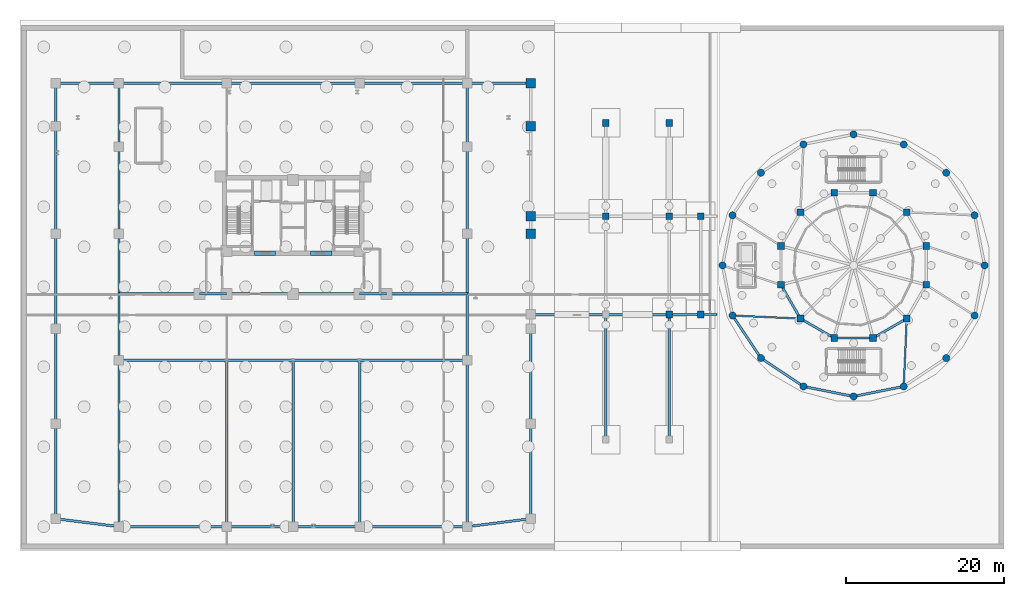
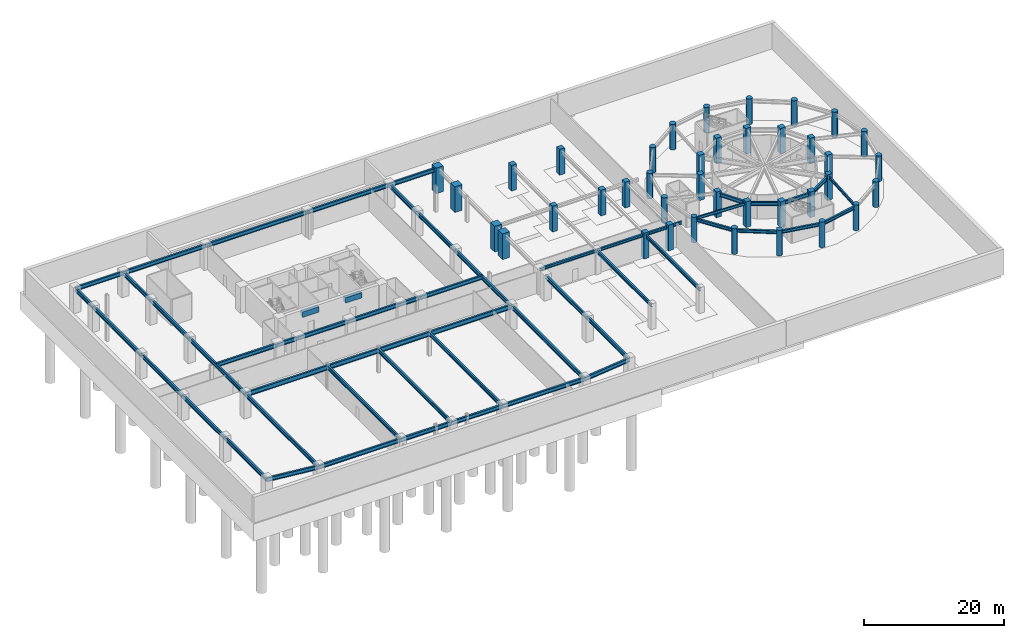
# One storey, part 4 of 15: 55 beams, 39 columns.
"""IFC4 building model written with IfcOpenShell, lengths in metres."""

from ifc_helpers import new_model, si_unit, derived_unit, direction, frame, origin, origin_2d, place, context, subcontext, project, spatial, rectangle, circle, i_section, extrude, source, transform, mapped, material, material_profile, profile_set, type_object, element, save


model = new_model("IFC4")

# Units and contexts
model_context = context("Model", 3, precision=1e-05, world=origin(), true_north=direction((0.0, 1.0)))
body_context = subcontext(model_context, "Body", "Model", "MODEL_VIEW")
ifc_project = project(units=[si_unit("LENGTHUNIT", "METRE"), si_unit("AREAUNIT", "SQUARE_METRE"), si_unit("VOLUMEUNIT", "CUBIC_METRE"), si_unit("PLANEANGLEUNIT", "RADIAN"), si_unit("MASSUNIT", "GRAM", prefix="KILO"), derived_unit("THERMALTRANSMITTANCEUNIT", [(si_unit("POWERUNIT", "WATT"), 1), (si_unit("LENGTHUNIT", "METRE"), -2), (si_unit("THERMODYNAMICTEMPERATUREUNIT", "KELVIN"), -1)])], contexts=[model_context])

# Site, building, storey
site_placement = place(None, origin())
site = spatial("IfcSite", under=ifc_project, at=site_placement, CompositionType="ELEMENT")
building_placement = place(site_placement, origin())
building = spatial("IfcBuilding", under=site, at=building_placement, Name="Korsvarv Bourse and Concert Hall", CompositionType="ELEMENT")
storey_placement = place(building_placement, frame((0.0, 0.0, -9.0)))
storey = spatial("IfcBuildingStorey", under=building, at=storey_placement, Name="B02", CompositionType="ELEMENT", Elevation=-9.0)

# Columns
ifc_material_1 = material(Name="Concrete C60/75", Category="concrete")
ifc_material_profile_1 = material_profile(ifc_material_1, rectangle(XDim=1.199951171875, YDim=1.199951171875, at=origin_2d()), Name="RC 1200x1200")
ifc_profile_set_1 = profile_set([ifc_material_profile_1], Name="Concrete C60/75")
column_type_1 = type_object("IfcColumnType", Name="COL-RC1200", PredefinedType="COLUMN", material=ifc_profile_set_1)
shared_shape_1 = source(origin(), body_context, "Body", "SweptSolid", [
    extrude(rectangle(XDim=1.199951171875, YDim=1.199951171875, at=origin_2d()), origin(), (0.0, 0.0, 1.0), 4.5),
])
for number, where, z_axis, x_axis, name in (
    (1, (66.0, 40.0, 0.0), (0.0, 0.0, 1.0), (1.0, 0.0, 0.0), "B02 column C-02"),
    (2, (66.0, 53.60009765625, 0.0), (0.0, 0.0, 1.0), (1.0, 0.0, 0.0), "B02 column C-02"),
    (3, (66.0, 59.0, 0.0), (0.0, 0.0, 1.0), (1.0, 0.0, 0.0), "B02 column C-02"),
    (4, (66.0, 42.199951171875, 0.0), (0.0, 0.0, 1.0), (1.0, 0.0, 0.0), "B02 column C-02"),
):
    element("IfcColumn", number, at=place(storey_placement, frame(where, z_axis=z_axis, x_axis=x_axis)), inside=storey, type_object=column_type_1, Name=name, PredefinedType="COLUMN", context=body_context, shape_type="MappedRepresentation", body=[
        mapped(shared_shape_1, transform((0.0, 0.0, 0.0), scale=1.0)),
    ])
ifc_material_2 = material(Name="Concrete C50/60", Category="concrete")
ifc_material_profile_2 = material_profile(ifc_material_2, rectangle(XDim=0.85009765625, YDim=0.85009765625, at=origin_2d()), Name="RC 850x850")
ifc_profile_set_2 = profile_set([ifc_material_profile_2], Name="Concrete C50/60")
column_type_2 = type_object("IfcColumnType", Name="COL-RC850", PredefinedType="COLUMN", material=ifc_profile_set_2)
shared_shape_2 = source(origin(), body_context, "Body", "SweptSolid", [
    extrude(rectangle(XDim=0.85009765625, YDim=0.85009765625, at=origin_2d()), origin(), (0.0, 0.0, 1.0), 4.5),
])
for number, where, z_axis, x_axis, name in (
    (5, (75.5, 42.199951171875, 0.0), (0.0, 0.0, 1.0), (1.0, 0.0, 0.0), "B02 column C-04"),
    (6, (83.5, 29.800048828125, 0.0), (0.0, 0.0, 1.0), (1.0, 0.0, 0.0), "B02 column C-04"),
    (7, (83.5, 42.199951171875, 0.0), (0.0, 0.0, 1.0), (1.0, 0.0, 0.0), "B02 column C-04"),
    (8, (87.5, 29.800048828125, 0.0), (0.0, 0.0, 1.0), (1.0, 0.0, 0.0), "B02 column C-04"),
    (9, (87.5, 42.199951171875, 0.0), (0.0, 0.0, 1.0), (1.0, 0.0, 0.0), "B02 column C-04"),
    (10, (75.5, 54.0, 0.0), (0.0, 0.0, 1.0), (1.0, 0.0, 0.0), "B02 column C-04"),
    (11, (83.5, 54.0, 0.0), (0.0, 0.0, 1.0), (1.0, 0.0, 0.0), "B02 column C-04"),
    (12, (115.976318359375, 38.458740234375, 0.0), (0.0, 0.0, 1.0), (1.0, 0.0, 0.0), "B02 column C-04"),
    (13, (113.517578125, 42.717529296875, 0.0), (0.0, 0.0, 1.0), (1.0, 0.0, 0.0), "B02 column C-04"),
    (14, (109.2587890625, 45.17626953125, 0.0), (0.0, 0.0, 1.0), (1.0, 0.0, 0.0), "B02 column C-04"),
    (15, (104.34130859375, 45.17626953125, 0.0), (0.0, 0.0, 1.0), (1.0, 0.0, 0.0), "B02 column C-04"),
    (16, (100.08251953125, 42.717529296875, 0.0), (0.0, 0.0, 1.0), (1.0, 0.0, 0.0), "B02 column C-04"),
    (17, (97.623779296875, 38.458740234375, 0.0), (0.0, 0.0, 1.0), (1.0, 0.0, 0.0), "B02 column C-04"),
    (18, (97.623779296875, 33.541259765625, 0.0), (0.0, 0.0, 1.0), (1.0, 0.0, 0.0), "B02 column C-04"),
    (19, (100.08251953125, 29.282470703125, 0.0), (0.0, 0.0, 1.0), (1.0, 0.0, 0.0), "B02 column C-04"),
    (20, (104.34130859375, 26.82373046875, 0.0), (0.0, 0.0, 1.0), (1.0, 0.0, 0.0), "B02 column C-04"),
    (21, (109.2587890625, 26.82373046875, 0.0), (0.0, 0.0, 1.0), (1.0, 0.0, 0.0), "B02 column C-04"),
    (22, (113.517578125, 29.282470703125, 0.0), (0.0, 0.0, 1.0), (1.0, 0.0, 0.0), "B02 column C-04"),
    (23, (115.976318359375, 33.541259765625, 0.0), (0.0, 0.0, 1.0), (1.0, 0.0, 0.0), "B02 column C-04"),
):
    element("IfcColumn", number, at=place(storey_placement, frame(where, z_axis=z_axis, x_axis=x_axis)), inside=storey, type_object=column_type_2, Name=name, PredefinedType="COLUMN", context=body_context, shape_type="MappedRepresentation", body=[
        mapped(shared_shape_2, transform((0.0, 0.0, 0.0), scale=1.0)),
    ])
ifc_material_profile_3 = material_profile(ifc_material_2, circle(Radius=0.449951171875, at=origin_2d()), Name="RC-D900")
ifc_profile_set_3 = profile_set([ifc_material_profile_3], Name="Concrete C50/60")
column_type_3 = type_object("IfcColumnType", Name="COL-RCD900", PredefinedType="COLUMN", material=ifc_profile_set_3)
shared_shape_3 = source(origin(), body_context, "Body", "SweptSolid", [
    extrude(circle(Radius=0.449951171875, at=origin_2d()), origin(), (0.0, 0.0, 1.0), 4.5),
])
for number, where, z_axis, x_axis, name in (
    (24, (123.35009765625, 36.0, 0.0), (0.0, 0.0, 1.0), (1.0, 0.0, 0.0), "B02 column C-06"),
    (25, (122.090087890625, 42.33349609375, 0.0), (0.0, 0.0, 1.0), (1.0, 0.0, 0.0), "B02 column C-06"),
    (26, (118.502685546875, 47.70263671875, 0.0), (0.0, 0.0, 1.0), (1.0, 0.0, 0.0), "B02 column C-06"),
    (27, (113.13330078125, 51.290283203125, 0.0), (0.0, 0.0, 1.0), (1.0, 0.0, 0.0), "B02 column C-06"),
    (28, (106.800048828125, 52.550048828125, 0.0), (0.0, 0.0, 1.0), (1.0, 0.0, 0.0), "B02 column C-06"),
    (29, (100.466552734375, 51.290283203125, 0.0), (0.0, 0.0, 1.0), (1.0, 0.0, 0.0), "B02 column C-06"),
    (30, (95.097412109375, 47.70263671875, 0.0), (0.0, 0.0, 1.0), (1.0, 0.0, 0.0), "B02 column C-06"),
    (31, (91.509765625, 42.33349609375, 0.0), (0.0, 0.0, 1.0), (1.0, 0.0, 0.0), "B02 column C-06"),
    (32, (90.25, 36.0, 0.0), (0.0, 0.0, 1.0), (1.0, 0.0, 0.0), "B02 column C-06"),
    (33, (91.509765625, 29.66650390625, 0.0), (0.0, 0.0, 1.0), (1.0, 0.0, 0.0), "B02 column C-06"),
    (34, (95.097412109375, 24.29736328125, 0.0), (0.0, 0.0, 1.0), (1.0, 0.0, 0.0), "B02 column C-06"),
    (35, (100.466552734375, 20.709716796875, 0.0), (0.0, 0.0, 1.0), (1.0, 0.0, 0.0), "B02 column C-06"),
    (36, (106.800048828125, 19.449951171875, 0.0), (0.0, 0.0, 1.0), (1.0, 0.0, 0.0), "B02 column C-06"),
    (37, (113.13330078125, 20.709716796875, 0.0), (0.0, 0.0, 1.0), (1.0, 0.0, 0.0), "B02 column C-06"),
    (38, (118.502685546875, 24.29736328125, 0.0), (0.0, 0.0, 1.0), (1.0, 0.0, 0.0), "B02 column C-06"),
    (39, (122.090087890625, 29.66650390625, 0.0), (0.0, 0.0, 1.0), (1.0, 0.0, 0.0), "B02 column C-06"),
):
    element("IfcColumn", number, at=place(storey_placement, frame(where, z_axis=z_axis, x_axis=x_axis)), inside=storey, type_object=column_type_3, Name=name, PredefinedType="COLUMN", context=body_context, shape_type="MappedRepresentation", body=[
        mapped(shared_shape_3, transform((0.0, 0.0, 0.0), scale=1.0)),
    ])

# Beams
ifc_material_3 = material(Name="Concrete C55/67", Category="concrete")
ifc_material_profile_4 = material_profile(ifc_material_3, rectangle(XDim=0.60009765625, YDim=0.949951171875, at=origin_2d()), Name="RC-BM 600x950")
ifc_profile_set_4 = profile_set([ifc_material_profile_4], Name="Concrete C55/67")
beam_type_1 = type_object("IfcBeamType", Name="BM-CPL", PredefinedType="LINTEL", material=ifc_profile_set_4)
shared_shape_4 = source(origin(), body_context, "Body", "SweptSolid", [
    extrude(rectangle(XDim=0.60009765625, YDim=0.949951171875, at=origin_2d()), origin(), (0.0, 0.0, 1.0), 2.699951171875),
])
for number, where, z_axis, x_axis, name in (
    (40, (31.10009765625, 37.52490234375, 3.705078125), (1.0, 0.0, 0.0), (0.0, 1.0, 0.0), "B02 Core Coupling Beam West"),
    (41, (38.199951171875, 37.52490234375, 3.705078125), (1.0, 0.0, 0.0), (0.0, 1.0, 0.0), "B02 Core Coupling Beam East"),
):
    element("IfcBeam", number, at=place(storey_placement, frame(where, z_axis=z_axis, x_axis=x_axis)), inside=storey, type_object=beam_type_1, Name=name, PredefinedType="LINTEL", context=body_context, shape_type="MappedRepresentation", body=[
        mapped(shared_shape_4, transform((0.0, 0.0, 0.0), scale=1.0)),
    ])
ifc_material_4 = material(Name="Steel S355", Category="steel")
ifc_material_profile_5 = material_profile(ifc_material_4, i_section(OverallWidth=0.300048828125, OverallDepth=0.489990234375, WebThickness=0.011962890625, FlangeThickness=0.02294921875, FilletRadius=0.02392578125, at=origin_2d()), Name="HEA 500")
ifc_profile_set_5 = profile_set([ifc_material_profile_5], Name="Steel S355")
beam_type_2 = type_object("IfcBeamType", Name="BM-HEA500", PredefinedType="BEAM", material=ifc_profile_set_5)
shared_shape_5 = source(origin(), body_context, "Body", "SweptSolid", [
    extrude(i_section(OverallWidth=0.300048828125, OverallDepth=0.489990234375, WebThickness=0.011962890625, FlangeThickness=0.02294921875, FilletRadius=0.02392578125, at=origin_2d()), origin(), (0.0, 0.0, 1.0), 9.5),
])
beam_1_placement = place(storey_placement, frame((66.0, 29.800048828125, 3.93505859375), z_axis=(1.0, 0.0, 0.0), x_axis=(0.0, 1.0, 0.0)))
element("IfcBeam", 42, at=beam_1_placement, inside=storey, type_object=beam_type_2, Name="B02 beam B-10", PredefinedType="BEAM", context=body_context, shape_type="MappedRepresentation", body=[
    mapped(shared_shape_5, transform((0.0, 0.0, 0.0), scale=1.0)),
])
shared_shape_6 = source(origin(), body_context, "Body", "SweptSolid", [
    extrude(i_section(OverallWidth=0.300048828125, OverallDepth=0.489990234375, WebThickness=0.011962890625, FlangeThickness=0.02294921875, FilletRadius=0.02392578125, at=origin_2d()), origin(), (0.0, 0.0, 1.0), 8.0),
])
beam_2_placement = place(storey_placement, frame((75.5, 29.800048828125, 3.93505859375), z_axis=(1.0, 0.0, 0.0), x_axis=(0.0, 1.0, 0.0)))
element("IfcBeam", 43, at=beam_2_placement, inside=storey, type_object=beam_type_2, Name="B02 beam B-10", PredefinedType="BEAM", context=body_context, shape_type="MappedRepresentation", body=[
    mapped(shared_shape_6, transform((0.0, 0.0, 0.0), scale=1.0)),
])
shared_shape_7 = source(origin(), body_context, "Body", "SweptSolid", [
    extrude(i_section(OverallWidth=0.300048828125, OverallDepth=0.489990234375, WebThickness=0.011962890625, FlangeThickness=0.02294921875, FilletRadius=0.02392578125, at=origin_2d()), origin(), (0.0, 0.0, 1.0), 4.0),
])
beam_3_placement = place(storey_placement, frame((83.5, 29.800048828125, 3.93505859375), z_axis=(1.0, 0.0, 0.0), x_axis=(0.0, 1.0, 0.0)))
element("IfcBeam", 44, at=beam_3_placement, inside=storey, type_object=beam_type_2, Name="B02 beam B-10", PredefinedType="BEAM", context=body_context, shape_type="MappedRepresentation", body=[
    mapped(shared_shape_7, transform((0.0, 0.0, 0.0), scale=1.0)),
])
shared_shape_8 = source(origin(), body_context, "Body", "SweptSolid", [
    extrude(i_section(OverallWidth=0.300048828125, OverallDepth=0.489990234375, WebThickness=0.011962890625, FlangeThickness=0.02294921875, FilletRadius=0.02392578125, at=origin_2d()), origin(), (0.0, 0.0, 1.0), 2.02001953125),
])
beam_4_placement = place(storey_placement, frame((87.5, 29.800048828125, 3.93505859375), z_axis=(1.0, 0.0, 0.0), x_axis=(0.0, 1.0, 0.0)))
element("IfcBeam", 45, at=beam_4_placement, inside=storey, type_object=beam_type_2, Name="B02 beam B-10", PredefinedType="BEAM", context=body_context, shape_type="MappedRepresentation", body=[
    mapped(shared_shape_8, transform((0.0, 0.0, 0.0), scale=1.0)),
])
ifc_material_profile_6 = material_profile(ifc_material_4, i_section(OverallWidth=0.300048828125, OverallDepth=0.60009765625, WebThickness=0.015380859375, FlangeThickness=0.030029296875, FilletRadius=0.02392578125, at=origin_2d()), Name="HEB 600")
ifc_profile_set_6 = profile_set([ifc_material_profile_6], Name="Steel S355")
beam_type_3 = type_object("IfcBeamType", Name="BM-HEB600", PredefinedType="BEAM", material=ifc_profile_set_6)
shared_shape_9 = source(origin(), body_context, "Body", "SweptSolid", [
    extrude(i_section(OverallWidth=0.300048828125, OverallDepth=0.60009765625, WebThickness=0.015380859375, FlangeThickness=0.030029296875, FilletRadius=0.02392578125, at=origin_2d()), origin(), (0.0, 0.0, 1.0), 15.800048828125),
])
for number, where, z_axis, x_axis, name in (
    (46, (75.5, 14.0, 3.8798828125), (0.0, 1.0, 0.0), (-1.0, 0.0, 0.0), "B02 beam B-05"),
    (47, (83.5, 14.0, 3.8798828125), (0.0, 1.0, 0.0), (-1.0, 0.0, 0.0), "B02 beam B-05"),
):
    element("IfcBeam", number, at=place(storey_placement, frame(where, z_axis=z_axis, x_axis=x_axis)), inside=storey, type_object=beam_type_3, Name=name, PredefinedType="BEAM", context=body_context, shape_type="MappedRepresentation", body=[
        mapped(shared_shape_9, transform((0.0, 0.0, 0.0), scale=1.0)),
    ])
ifc_material_profile_7 = material_profile(ifc_material_4, i_section(OverallWidth=0.300048828125, OverallDepth=0.699951171875, WebThickness=0.01708984375, FlangeThickness=0.031982421875, FilletRadius=0.027099609375, at=origin_2d()), Name="HEB 700")
ifc_profile_set_7 = profile_set([ifc_material_profile_7], Name="Steel S355")
beam_type_4 = type_object("IfcBeamType", Name="BM-HEB700", PredefinedType="BEAM", material=ifc_profile_set_7)
shared_shape_10 = source(origin(), body_context, "Body", "SweptSolid", [
    extrude(i_section(OverallWidth=0.300048828125, OverallDepth=0.699951171875, WebThickness=0.01708984375, FlangeThickness=0.031982421875, FilletRadius=0.027099609375, at=origin_2d()), origin(), (0.0, 0.0, 1.0), 12.0),
])
for number, where, z_axis, x_axis, name in (
    (48, (6.0, 4.0, 3.830078125), (0.0, 1.0, 0.0), (-1.0, 0.0, 0.0), "B02 beam B-03"),
    (49, (6.0, 16.0, 3.830078125), (0.0, 1.0, 0.0), (-1.0, 0.0, 0.0), "B02 beam B-03"),
    (50, (6.0, 28.0, 3.830078125), (0.0, 1.0, 0.0), (-1.0, 0.0, 0.0), "B02 beam B-03"),
    (51, (66.0, 4.0, 3.830078125), (0.0, 1.0, 0.0), (-1.0, 0.0, 0.0), "B02 beam B-03"),
    (52, (66.0, 16.0, 3.830078125), (0.0, 1.0, 0.0), (-1.0, 0.0, 0.0), "B02 beam B-03"),
):
    element("IfcBeam", number, at=place(storey_placement, frame(where, z_axis=z_axis, x_axis=x_axis)), inside=storey, type_object=beam_type_4, Name=name, PredefinedType="BEAM", context=body_context, shape_type="MappedRepresentation", body=[
        mapped(shared_shape_10, transform((0.0, 0.0, 0.0), scale=1.0)),
    ])
shared_shape_11 = source(origin(), body_context, "Body", "SweptSolid", [
    extrude(i_section(OverallWidth=0.300048828125, OverallDepth=0.699951171875, WebThickness=0.01708984375, FlangeThickness=0.031982421875, FilletRadius=0.027099609375, at=origin_2d()), origin(), (0.0, 0.0, 1.0), 13.60009765625),
])
for number, where, z_axis, x_axis, name in (
    (53, (6.0, 40.0, 3.830078125), (0.0, 1.0, 0.0), (-1.0, 0.0, 0.0), "B02 beam B-03"),
    (54, (14.0, 3.0, 3.830078125), (1.0, 0.0, 0.0), (0.0, 1.0, 0.0), "B02 beam B-03"),
    (55, (44.39990234375, 3.0, 3.830078125), (1.0, 0.0, 0.0), (0.0, 1.0, 0.0), "B02 beam B-03"),
    (56, (14.0, 59.0, 3.830078125), (1.0, 0.0, 0.0), (0.0, 1.0, 0.0), "B02 beam B-03"),
    (57, (44.39990234375, 59.0, 3.830078125), (1.0, 0.0, 0.0), (0.0, 1.0, 0.0), "B02 beam B-03"),
):
    element("IfcBeam", number, at=place(storey_placement, frame(where, z_axis=z_axis, x_axis=x_axis)), inside=storey, type_object=beam_type_4, Name=name, PredefinedType="BEAM", context=body_context, shape_type="MappedRepresentation", body=[
        mapped(shared_shape_11, transform((0.0, 0.0, 0.0), scale=1.0)),
    ])
shared_shape_12 = source(origin(), body_context, "Body", "SweptSolid", [
    extrude(i_section(OverallWidth=0.300048828125, OverallDepth=0.699951171875, WebThickness=0.01708984375, FlangeThickness=0.031982421875, FilletRadius=0.027099609375, at=origin_2d()), origin(), (0.0, 0.0, 1.0), 5.39990234375),
])
beam_5_placement = place(storey_placement, frame((6.0, 53.60009765625, 3.830078125), z_axis=(0.0, 1.0, 0.0), x_axis=(-1.0, 0.0, 0.0)))
element("IfcBeam", 58, at=beam_5_placement, inside=storey, type_object=beam_type_4, Name="B02 beam B-03", PredefinedType="BEAM", context=body_context, shape_type="MappedRepresentation", body=[
    mapped(shared_shape_12, transform((0.0, 0.0, 0.0), scale=1.0)),
])
shared_shape_13 = source(origin(), body_context, "Body", "SweptSolid", [
    extrude(i_section(OverallWidth=0.300048828125, OverallDepth=0.699951171875, WebThickness=0.01708984375, FlangeThickness=0.031982421875, FilletRadius=0.027099609375, at=origin_2d()), origin(), (0.0, 0.0, 1.0), 8.062255859375),
])
for number, where, z_axis, x_axis, name in (
    (59, (6.0, 4.0, 3.830078125), (0.992277876714, -0.124034734589, 0.0), (0.124034734589, 0.992277876714, 0.0), "B02 beam B-03"),
    (60, (58.0, 3.0, 3.830078125), (0.992277876714, 0.124034734589, 0.0), (-0.124034734589, 0.992277876714, 0.0), "B02 beam B-03"),
):
    element("IfcBeam", number, at=place(storey_placement, frame(where, z_axis=z_axis, x_axis=x_axis)), inside=storey, type_object=beam_type_4, Name=name, PredefinedType="BEAM", context=body_context, shape_type="MappedRepresentation", body=[
        mapped(shared_shape_13, transform((0.0, 0.0, 0.0), scale=1.0)),
    ])
shared_shape_14 = source(origin(), body_context, "Body", "SweptSolid", [
    extrude(i_section(OverallWidth=0.300048828125, OverallDepth=0.699951171875, WebThickness=0.01708984375, FlangeThickness=0.031982421875, FilletRadius=0.027099609375, at=origin_2d()), origin(), (0.0, 0.0, 1.0), 8.39990234375),
])
for number, where, z_axis, x_axis, name in (
    (61, (27.60009765625, 3.0, 3.830078125), (1.0, 0.0, 0.0), (0.0, 1.0, 0.0), "B02 beam B-03"),
    (62, (36.0, 3.0, 3.830078125), (1.0, 0.0, 0.0), (0.0, 1.0, 0.0), "B02 beam B-03"),
    (63, (27.60009765625, 32.39990234375, 3.830078125), (1.0, 0.0, 0.0), (0.0, 1.0, 0.0), "B02 beam B-03"),
    (64, (36.0, 32.39990234375, 3.830078125), (1.0, 0.0, 0.0), (0.0, 1.0, 0.0), "B02 beam B-03"),
):
    element("IfcBeam", number, at=place(storey_placement, frame(where, z_axis=z_axis, x_axis=x_axis)), inside=storey, type_object=beam_type_4, Name=name, PredefinedType="BEAM", context=body_context, shape_type="MappedRepresentation", body=[
        mapped(shared_shape_14, transform((0.0, 0.0, 0.0), scale=1.0)),
    ])
shared_shape_15 = source(origin(), body_context, "Body", "SweptSolid", [
    extrude(i_section(OverallWidth=0.300048828125, OverallDepth=0.699951171875, WebThickness=0.01708984375, FlangeThickness=0.031982421875, FilletRadius=0.027099609375, at=origin_2d()), origin(), (0.0, 0.0, 1.0), 8.0),
])
for number, where, z_axis, x_axis, name in (
    (65, (6.0, 59.0, 3.830078125), (1.0, 0.0, 0.0), (0.0, 1.0, 0.0), "B02 beam B-03"),
    (66, (58.0, 59.0, 3.830078125), (1.0, 0.0, 0.0), (0.0, 1.0, 0.0), "B02 beam B-03"),
):
    element("IfcBeam", number, at=place(storey_placement, frame(where, z_axis=z_axis, x_axis=x_axis)), inside=storey, type_object=beam_type_4, Name=name, PredefinedType="BEAM", context=body_context, shape_type="MappedRepresentation", body=[
        mapped(shared_shape_15, transform((0.0, 0.0, 0.0), scale=1.0)),
    ])
shared_shape_16 = source(origin(), body_context, "Body", "SweptSolid", [
    extrude(i_section(OverallWidth=0.300048828125, OverallDepth=0.699951171875, WebThickness=0.01708984375, FlangeThickness=0.031982421875, FilletRadius=0.027099609375, at=origin_2d()), origin(), (0.0, 0.0, 1.0), 16.7998046875),
])
beam_6_placement = place(storey_placement, frame((27.60009765625, 59.0, 3.830078125), z_axis=(1.0, 0.0, 0.0), x_axis=(0.0, 1.0, 0.0)))
element("IfcBeam", 67, at=beam_6_placement, inside=storey, type_object=beam_type_4, Name="B02 beam B-03", PredefinedType="BEAM", context=body_context, shape_type="MappedRepresentation", body=[
    mapped(shared_shape_16, transform((0.0, 0.0, 0.0), scale=1.0)),
])
shared_shape_17 = source(origin(), body_context, "Body", "SweptSolid", [
    extrude(i_section(OverallWidth=0.300048828125, OverallDepth=0.699951171875, WebThickness=0.01708984375, FlangeThickness=0.031982421875, FilletRadius=0.027099609375, at=origin_2d()), origin(), (0.0, 0.0, 1.0), 21.0),
])
for number, where, z_axis, x_axis, name in (
    (68, (14.0, 3.0, 3.830078125), (0.0, 1.0, 0.0), (-1.0, 0.0, 0.0), "B02 beam B-03"),
    (69, (58.0, 3.0, 3.830078125), (0.0, 1.0, 0.0), (-1.0, 0.0, 0.0), "B02 beam B-03"),
):
    element("IfcBeam", number, at=place(storey_placement, frame(where, z_axis=z_axis, x_axis=x_axis)), inside=storey, type_object=beam_type_4, Name=name, PredefinedType="BEAM", context=body_context, shape_type="MappedRepresentation", body=[
        mapped(shared_shape_17, transform((0.0, 0.0, 0.0), scale=1.0)),
    ])
shared_shape_18 = source(origin(), body_context, "Body", "SweptSolid", [
    extrude(i_section(OverallWidth=0.300048828125, OverallDepth=0.699951171875, WebThickness=0.01708984375, FlangeThickness=0.031982421875, FilletRadius=0.027099609375, at=origin_2d()), origin(), (0.0, 0.0, 1.0), 16.0),
])
for number, where, z_axis, x_axis, name in (
    (70, (14.0, 24.0, 3.830078125), (0.0, 1.0, 0.0), (-1.0, 0.0, 0.0), "B02 beam B-03"),
    (71, (58.0, 24.0, 3.830078125), (0.0, 1.0, 0.0), (-1.0, 0.0, 0.0), "B02 beam B-03"),
):
    element("IfcBeam", number, at=place(storey_placement, frame(where, z_axis=z_axis, x_axis=x_axis)), inside=storey, type_object=beam_type_4, Name=name, PredefinedType="BEAM", context=body_context, shape_type="MappedRepresentation", body=[
        mapped(shared_shape_18, transform((0.0, 0.0, 0.0), scale=1.0)),
    ])
shared_shape_19 = source(origin(), body_context, "Body", "SweptSolid", [
    extrude(i_section(OverallWidth=0.300048828125, OverallDepth=0.699951171875, WebThickness=0.01708984375, FlangeThickness=0.031982421875, FilletRadius=0.027099609375, at=origin_2d()), origin(), (0.0, 0.0, 1.0), 19.0),
])
for number, where, z_axis, x_axis, name in (
    (72, (14.0, 40.0, 3.830078125), (0.0, 1.0, 0.0), (-1.0, 0.0, 0.0), "B02 beam B-03"),
    (73, (58.0, 40.0, 3.830078125), (0.0, 1.0, 0.0), (-1.0, 0.0, 0.0), "B02 beam B-03"),
):
    element("IfcBeam", number, at=place(storey_placement, frame(where, z_axis=z_axis, x_axis=x_axis)), inside=storey, type_object=beam_type_4, Name=name, PredefinedType="BEAM", context=body_context, shape_type="MappedRepresentation", body=[
        mapped(shared_shape_19, transform((0.0, 0.0, 0.0), scale=1.0)),
    ])
shared_shape_20 = source(origin(), body_context, "Body", "SweptSolid", [
    extrude(i_section(OverallWidth=0.300048828125, OverallDepth=0.699951171875, WebThickness=0.01708984375, FlangeThickness=0.031982421875, FilletRadius=0.027099609375, at=origin_2d()), origin(), (0.0, 0.0, 1.0), 10.199951171875),
])
for number, where, z_axis, x_axis, name in (
    (74, (14.0, 32.39990234375, 3.830078125), (1.0, 0.0, 0.0), (0.0, 1.0, 0.0), "B02 beam B-03"),
    (75, (47.800048828125, 32.39990234375, 3.830078125), (1.0, 0.0, 0.0), (0.0, 1.0, 0.0), "B02 beam B-03"),
):
    element("IfcBeam", number, at=place(storey_placement, frame(where, z_axis=z_axis, x_axis=x_axis)), inside=storey, type_object=beam_type_4, Name=name, PredefinedType="BEAM", context=body_context, shape_type="MappedRepresentation", body=[
        mapped(shared_shape_20, transform((0.0, 0.0, 0.0), scale=1.0)),
    ])
shared_shape_21 = source(origin(), body_context, "Body", "SweptSolid", [
    extrude(i_section(OverallWidth=0.300048828125, OverallDepth=0.699951171875, WebThickness=0.01708984375, FlangeThickness=0.031982421875, FilletRadius=0.027099609375, at=origin_2d()), origin(), (0.0, 0.0, 1.0), 3.400146484375),
])
for number, where, z_axis, x_axis, name in (
    (76, (24.199951171875, 32.39990234375, 3.830078125), (1.0, 0.0, 0.0), (0.0, 1.0, 0.0), "B02 beam B-03"),
    (77, (44.39990234375, 32.39990234375, 3.830078125), (1.0, 0.0, 0.0), (0.0, 1.0, 0.0), "B02 beam B-03"),
):
    element("IfcBeam", number, at=place(storey_placement, frame(where, z_axis=z_axis, x_axis=x_axis)), inside=storey, type_object=beam_type_4, Name=name, PredefinedType="BEAM", context=body_context, shape_type="MappedRepresentation", body=[
        mapped(shared_shape_21, transform((0.0, 0.0, 0.0), scale=1.0)),
    ])
ifc_material_5 = material(Name="Steel S460", Category="steel")
ifc_material_profile_8 = material_profile(ifc_material_5, i_section(OverallWidth=0.300048828125, OverallDepth=0.800048828125, WebThickness=0.017578125, FlangeThickness=0.032958984375, FilletRadius=0.027099609375, at=origin_2d()), Name="HEB 800")
ifc_profile_set_8 = profile_set([ifc_material_profile_8], Name="Steel S460")
beam_type_5 = type_object("IfcBeamType", Name="BM-HEB800", PredefinedType="BEAM", material=ifc_profile_set_8)
shared_shape_22 = source(origin(), body_context, "Body", "SweptSolid", [
    extrude(i_section(OverallWidth=0.300048828125, OverallDepth=0.800048828125, WebThickness=0.017578125, FlangeThickness=0.032958984375, FilletRadius=0.027099609375, at=origin_2d()), origin(), (0.0, 0.0, 1.0), 13.60009765625),
])
for number, where, z_axis, x_axis, name in (
    (78, (14.0, 24.0, 3.780029296875), (1.0, 0.0, 0.0), (0.0, 1.0, 0.0), "B02 beam B-02"),
    (79, (44.39990234375, 24.0, 3.780029296875), (1.0, 0.0, 0.0), (0.0, 1.0, 0.0), "B02 beam B-02"),
):
    element("IfcBeam", number, at=place(storey_placement, frame(where, z_axis=z_axis, x_axis=x_axis)), inside=storey, type_object=beam_type_5, Name=name, PredefinedType="BEAM", context=body_context, shape_type="MappedRepresentation", body=[
        mapped(shared_shape_22, transform((0.0, 0.0, 0.0), scale=1.0)),
    ])
shared_shape_23 = source(origin(), body_context, "Body", "SweptSolid", [
    extrude(i_section(OverallWidth=0.300048828125, OverallDepth=0.800048828125, WebThickness=0.017578125, FlangeThickness=0.032958984375, FilletRadius=0.027099609375, at=origin_2d()), origin(), (0.0, 0.0, 1.0), 8.39990234375),
])
for number, where, z_axis, x_axis, name in (
    (80, (27.60009765625, 24.0, 3.780029296875), (1.0, 0.0, 0.0), (0.0, 1.0, 0.0), "B02 beam B-02"),
    (81, (36.0, 24.0, 3.780029296875), (1.0, 0.0, 0.0), (0.0, 1.0, 0.0), "B02 beam B-02"),
):
    element("IfcBeam", number, at=place(storey_placement, frame(where, z_axis=z_axis, x_axis=x_axis)), inside=storey, type_object=beam_type_5, Name=name, PredefinedType="BEAM", context=body_context, shape_type="MappedRepresentation", body=[
        mapped(shared_shape_23, transform((0.0, 0.0, 0.0), scale=1.0)),
    ])
ifc_material_profile_9 = material_profile(ifc_material_4, i_section(OverallWidth=0.300048828125, OverallDepth=0.64990234375, WebThickness=0.01611328125, FlangeThickness=0.031005859375, FilletRadius=0.027099609375, at=origin_2d()), Name="HEB 650")
ifc_profile_set_9 = profile_set([ifc_material_profile_9], Name="Steel S355")
beam_type_6 = type_object("IfcBeamType", Name="BM-HEB650", PredefinedType="BEAM", material=ifc_profile_set_9)
shared_shape_24 = source(origin(), body_context, "Body", "SweptSolid", [
    extrude(i_section(OverallWidth=0.300048828125, OverallDepth=0.64990234375, WebThickness=0.01611328125, FlangeThickness=0.031005859375, FilletRadius=0.027099609375, at=origin_2d()), origin(), (0.0, 0.0, 1.0), 21.0),
])
for number, where, z_axis, x_axis, name in (
    (82, (27.60009765625, 3.0, 3.85498046875), (0.0, 1.0, 0.0), (-1.0, 0.0, 0.0), "B02 beam B-04"),
    (83, (36.0, 3.0, 3.85498046875), (0.0, 1.0, 0.0), (-1.0, 0.0, 0.0), "B02 beam B-04"),
    (84, (44.39990234375, 3.0, 3.85498046875), (0.0, 1.0, 0.0), (-1.0, 0.0, 0.0), "B02 beam B-04"),
):
    element("IfcBeam", number, at=place(storey_placement, frame(where, z_axis=z_axis, x_axis=x_axis)), inside=storey, type_object=beam_type_6, Name=name, PredefinedType="BEAM", context=body_context, shape_type="MappedRepresentation", body=[
        mapped(shared_shape_24, transform((0.0, 0.0, 0.0), scale=1.0)),
    ])
ifc_material_profile_10 = material_profile(ifc_material_4, i_section(OverallWidth=0.300048828125, OverallDepth=0.550048828125, WebThickness=0.014892578125, FlangeThickness=0.029052734375, FilletRadius=0.02392578125, at=origin_2d()), Name="HEB 550")
ifc_profile_set_10 = profile_set([ifc_material_profile_10], Name="Steel S355")
beam_type_7 = type_object("IfcBeamType", Name="BM-HEB550", PredefinedType="BEAM", material=ifc_profile_set_10)
shared_shape_25 = source(origin(), body_context, "Body", "SweptSolid", [
    extrude(i_section(OverallWidth=0.300048828125, OverallDepth=0.550048828125, WebThickness=0.014892578125, FlangeThickness=0.029052734375, FilletRadius=0.02392578125, at=origin_2d()), origin(), (0.0, 0.0, 1.0), 6.45751953125),
])
for number, where, z_axis, x_axis, name in (
    (85, (91.509765625, 29.66650390625, 3.905029296875), (0.55558109052, -0.83146235745, 0.0), (0.83146235745, 0.55558109052, 0.0), "B02 beam B-06"),
    (86, (95.097412109375, 24.29736328125, 3.905029296875), (0.83146235745, -0.55558109052, 0.0), (0.55558109052, 0.83146235745, 0.0), "B02 beam B-06"),
    (87, (100.466552734375, 20.709716796875, 3.905029296875), (0.980786616034, -0.195083607229, 0.0), (0.195083607229, 0.980786616034, 0.0), "B02 beam B-06"),
):
    element("IfcBeam", number, at=place(storey_placement, frame(where, z_axis=z_axis, x_axis=x_axis)), inside=storey, type_object=beam_type_7, Name=name, PredefinedType="BEAM", context=body_context, shape_type="MappedRepresentation", body=[
        mapped(shared_shape_25, transform((0.0, 0.0, 0.0), scale=1.0)),
    ])
shared_shape_26 = source(origin(), body_context, "Body", "SweptSolid", [
    extrude(i_section(OverallWidth=0.300048828125, OverallDepth=0.550048828125, WebThickness=0.014892578125, FlangeThickness=0.029052734375, FilletRadius=0.02392578125, at=origin_2d()), origin(), (0.0, 0.0, 1.0), 6.457275390625),
])
beam_7_placement = place(storey_placement, frame((106.800048828125, 19.449951171875, 3.905029296875), z_axis=(0.980785177113, 0.19509084129, 0.0), x_axis=(-0.19509084129, 0.980785177113, 0.0)))
element("IfcBeam", 88, at=beam_7_placement, inside=storey, type_object=beam_type_7, Name="B02 beam B-06", PredefinedType="BEAM", context=body_context, shape_type="MappedRepresentation", body=[
    mapped(shared_shape_26, transform((0.0, 0.0, 0.0), scale=1.0)),
])
shared_shape_27 = source(origin(), body_context, "Body", "SweptSolid", [
    extrude(i_section(OverallWidth=0.300048828125, OverallDepth=0.64990234375, WebThickness=0.01611328125, FlangeThickness=0.031005859375, FilletRadius=0.027099609375, at=origin_2d()), origin(), (0.0, 0.0, 1.0), 4.91748046875),
])
for number, where, z_axis, x_axis, name in (
    (89, (97.623779296875, 33.541259765625, 3.85498046875), (0.499988900423, -0.866031812033, 0.0), (0.866031812033, 0.499988900423, 0.0), "B02 beam B-04"),
    (90, (100.08251953125, 29.282470703125, 3.85498046875), (0.866031812033, -0.499988900423, 0.0), (0.499988900423, 0.866031812033, 0.0), "B02 beam B-04"),
    (91, (104.34130859375, 26.82373046875, 3.85498046875), (1.0, 0.0, 0.0), (0.0, 1.0, 0.0), "B02 beam B-04"),
    (92, (109.2587890625, 26.82373046875, 3.85498046875), (0.866031812033, 0.499988900423, 0.0), (-0.499988900423, 0.866031812033, 0.0), "B02 beam B-04"),
):
    element("IfcBeam", number, at=place(storey_placement, frame(where, z_axis=z_axis, x_axis=x_axis)), inside=storey, type_object=beam_type_6, Name=name, PredefinedType="BEAM", context=body_context, shape_type="MappedRepresentation", body=[
        mapped(shared_shape_27, transform((0.0, 0.0, 0.0), scale=1.0)),
    ])
ifc_material_profile_11 = material_profile(ifc_material_4, i_section(OverallWidth=0.199951171875, OverallDepth=0.5, WebThickness=0.01025390625, FlangeThickness=0.01611328125, FilletRadius=0.02099609375, at=origin_2d()), Name="IPE 500")
ifc_profile_set_11 = profile_set([ifc_material_profile_11], Name="Steel S355")
beam_type_8 = type_object("IfcBeamType", Name="BM-IPE500", PredefinedType="JOIST", material=ifc_profile_set_11)
shared_shape_28 = source(origin(), body_context, "Body", "SweptSolid", [
    extrude(i_section(OverallWidth=0.199951171875, OverallDepth=0.5, WebThickness=0.01025390625, FlangeThickness=0.01611328125, FilletRadius=0.02099609375, at=origin_2d()), origin(), (0.0, 0.0, 1.0), 8.581298828125),
])
for number, where, z_axis, x_axis, name in (
    (93, (100.08251953125, 29.282470703125, 3.929931640625), (-0.998998124412, 0.044752066119, 0.0), (-0.044752066119, -0.998998124412, 0.0), "B02 beam J-03"),
    (94, (113.517578125, 29.282470703125, 3.929931640625), (-0.044780459224, -0.998996852083, 0.0), (0.998996852083, -0.044780459224, 0.0), "B02 beam J-03"),
):
    element("IfcBeam", number, at=place(storey_placement, frame(where, z_axis=z_axis, x_axis=x_axis)), inside=storey, type_object=beam_type_8, Name=name, PredefinedType="JOIST", context=body_context, shape_type="MappedRepresentation", body=[
        mapped(shared_shape_28, transform((0.0, 0.0, 0.0), scale=1.0)),
    ])

save(model, "model.ifc")
